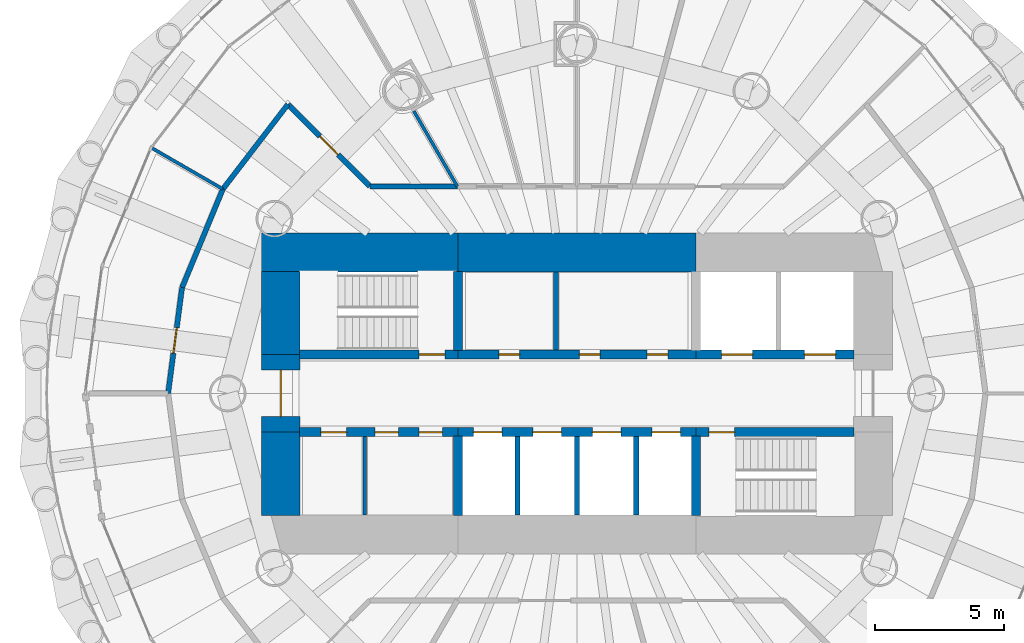
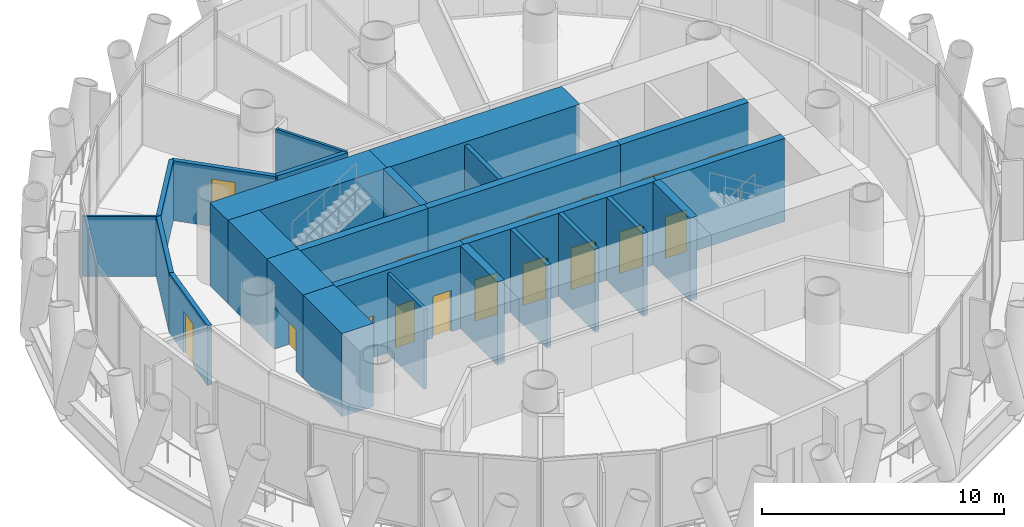
# One storey, part 10 of 16: 26 walls, 17 doors, 17 openings.
"""IFC4 building model written with IfcOpenShell, lengths in metres."""

from ifc_helpers import new_model, si_unit, direction, frame, frame_2d, origin, place, context, subcontext, project, spatial, rectangle, extrude, material, layer, layer_set, type_object, element, fill, save


model = new_model("IFC4")

# Units and contexts
model_context = context("Model", 3, precision=1e-05, world=origin(), true_north=direction((0.0, 1.0)))
body_context = subcontext(model_context, "Body", "Model", "MODEL_VIEW")
ifc_project = project(units=[si_unit("LENGTHUNIT", "METRE"), si_unit("AREAUNIT", "SQUARE_METRE"), si_unit("VOLUMEUNIT", "CUBIC_METRE"), si_unit("PLANEANGLEUNIT", "RADIAN"), si_unit("MASSUNIT", "GRAM", prefix="KILO")], contexts=[model_context])

# Site, building, storey
site_placement = place(None, origin())
site = spatial("IfcSite", under=ifc_project, at=site_placement, CompositionType="ELEMENT")
building_placement = place(site_placement, origin())
building = spatial("IfcBuilding", under=site, at=building_placement, Name="Qaws Media Tower", CompositionType="ELEMENT")
storey_placement = place(building_placement, frame((0.0, 0.0, 269.60009765625)))
storey = spatial("IfcBuildingStorey", under=building, at=storey_placement, Name="L62", CompositionType="ELEMENT", Elevation=269.60009765625)

# Wall, opening, door
ifc_material_1 = material(Name="Concrete C60/75", Category="concrete")
ifc_layer_1 = layer(ifc_material_1, 0.35009765625)
ifc_layer_set_1 = layer_set([ifc_layer_1], Name="Core inner wall 350")
wall_type_1 = type_object("IfcWallType", Name="Core inner wall 350", PredefinedType="SHEAR", material=ifc_layer_set_1)
wall_1_placement = place(storey_placement, frame((49.280029296875, 51.5, 0.0), z_axis=(0.0, 0.0, 1.0), x_axis=(1.0, 0.0, 0.0)))
wall_1 = element("IfcWall", 1, at=wall_1_placement, inside=storey, type_object=wall_type_1, Name="W301 SW5 core wall SPNW L62", PredefinedType="SHEAR", context=body_context, shape_type="SweptSolid", body=[
    extrude(rectangle(XDim=6.119873046875, YDim=0.35009765625, at=frame_2d((3.06005859375, 0.0))), origin(), (0.0, 0.0, 1.0), 4.199951171875),
])
opening_1_placement = place(wall_1_placement, frame((4.6201171875, 0.0, 0.0)))
opening_1 = element("IfcOpeningElement", 2, at=opening_1_placement, cuts=wall_1, Name="Opening D1", PredefinedType="OPENING", context=body_context, shape_type="SweptSolid", body=[
    extrude(rectangle(XDim=1.0, YDim=2.10009765625, at=frame_2d((0.5, 1.050048828125))), frame((0.0, 0.18505859375, 0.0), z_axis=(0.0, -1.0, 0.0), x_axis=(1.0, 0.0, 0.0)), (0.0, 0.0, 1.0), 0.3701171875),
])
ifc_material_2 = material(Name="Steel, fire rated", Category="steel")
door_type_1 = type_object("IfcDoorType", Name="Stair door 1000 FD120", OperationType="SINGLE_SWING_LEFT", PredefinedType="DOOR", material=ifc_material_2)
door_1_placement = place(opening_1_placement, origin())
door_1 = element("IfcDoor", 3, at=door_1_placement, inside=storey, type_object=door_type_1, Name="D1 stair S1 door L62 in wall W301", OperationType="SINGLE_SWING_LEFT", OverallHeight=2.10009765625, OverallWidth=1.0, PredefinedType="DOOR", context=body_context, shape_type="SweptSolid", body=[
    extrude(rectangle(XDim=1.0, YDim=2.10009765625, at=frame_2d((0.5, 1.050048828125))), frame((0.0, 0.02490234375, 0.0), z_axis=(0.0, -1.0, 0.0), x_axis=(1.0, 0.0, 0.0)), (0.0, 0.0, 1.0), 0.050048828125),
])
fill(opening_1, door_1)

# Wall, openings, doors
wall_2_placement = place(storey_placement, frame((55.39990234375, 51.5, 0.0), z_axis=(0.0, 0.0, 1.0), x_axis=(1.0, 0.0, 0.0)))
wall_2 = element("IfcWall", 4, at=wall_2_placement, inside=storey, type_object=wall_type_1, Name="W304 SW5 core wall SPN L62", PredefinedType="SHEAR", context=body_context, shape_type="SweptSolid", body=[
    extrude(rectangle(XDim=9.2001953125, YDim=0.35009765625, at=frame_2d((4.60009765625, 0.0))), origin(), (0.0, 0.0, 1.0), 4.199951171875),
])
opening_2_placement = place(wall_2_placement, frame((1.585205078125, 0.0, 0.0)))
opening_2 = element("IfcOpeningElement", 5, at=opening_2_placement, cuts=wall_2, Name="Opening D23", PredefinedType="OPENING", context=body_context, shape_type="SweptSolid", body=[
    extrude(rectangle(XDim=0.800048828125, YDim=2.10009765625, at=frame_2d((0.39990234375, 1.050048828125))), frame((0.0, 0.18505859375, 0.0), z_axis=(0.0, -1.0, 0.0), x_axis=(1.0, 0.0, 0.0)), (0.0, 0.0, 1.0), 0.3701171875),
])
opening_3_placement = place(wall_2_placement, frame((4.702880859375, 0.0, 0.0)))
opening_3 = element("IfcOpeningElement", 6, at=opening_3_placement, cuts=wall_2, Name="Opening D23", PredefinedType="OPENING", context=body_context, shape_type="SweptSolid", body=[
    extrude(rectangle(XDim=0.800048828125, YDim=2.10009765625, at=frame_2d((0.39990234375, 1.050048828125))), frame((0.0, 0.18505859375, 0.0), z_axis=(0.0, -1.0, 0.0), x_axis=(1.0, 0.0, 0.0)), (0.0, 0.0, 1.0), 0.3701171875),
])
opening_4_placement = place(wall_2_placement, frame((7.317626953125, 0.0, 0.0)))
opening_4 = element("IfcOpeningElement", 7, at=opening_4_placement, cuts=wall_2, Name="Opening D23", PredefinedType="OPENING", context=body_context, shape_type="SweptSolid", body=[
    extrude(rectangle(XDim=0.800048828125, YDim=2.10009765625, at=frame_2d((0.39990234375, 1.050048828125))), frame((0.0, 0.18505859375, 0.0), z_axis=(0.0, -1.0, 0.0), x_axis=(1.0, 0.0, 0.0)), (0.0, 0.0, 1.0), 0.3701171875),
])
ifc_material_3 = material(Name="Steel, fire rated", Category="steel")
door_type_2 = type_object("IfcDoorType", Name="Core room door 800x2100", OperationType="SINGLE_SWING_LEFT", PredefinedType="DOOR", material=ifc_material_3)
door_2_placement = place(opening_2_placement, origin())
door_2 = element("IfcDoor", 8, at=door_2_placement, inside=storey, type_object=door_type_2, Name="D23 Ladies toilets door L62 in wall W304", OperationType="SINGLE_SWING_LEFT", OverallHeight=2.10009765625, OverallWidth=0.800048828125, PredefinedType="DOOR", context=body_context, shape_type="SweptSolid", body=[
    extrude(rectangle(XDim=0.800048828125, YDim=2.10009765625, at=frame_2d((0.39990234375, 1.050048828125))), frame((0.0, 0.02490234375, 0.0), z_axis=(0.0, -1.0, 0.0), x_axis=(1.0, 0.0, 0.0)), (0.0, 0.0, 1.0), 0.050048828125),
])
fill(opening_2, door_2)
door_3_placement = place(opening_3_placement, origin())
door_3 = element("IfcDoor", 9, at=door_3_placement, inside=storey, type_object=door_type_2, Name="D23 Gents toilets door L62 2 in wall W304", OperationType="SINGLE_SWING_LEFT", OverallHeight=2.10009765625, OverallWidth=0.800048828125, PredefinedType="DOOR", context=body_context, shape_type="SweptSolid", body=[
    extrude(rectangle(XDim=0.800048828125, YDim=2.10009765625, at=frame_2d((0.39990234375, 1.050048828125))), frame((0.0, 0.02490234375, 0.0), z_axis=(0.0, -1.0, 0.0), x_axis=(1.0, 0.0, 0.0)), (0.0, 0.0, 1.0), 0.050048828125),
])
fill(opening_3, door_3)
door_4_placement = place(opening_4_placement, origin())
door_4 = element("IfcDoor", 10, at=door_4_placement, inside=storey, type_object=door_type_2, Name="D23 Gents toilets door L62 3 in wall W304", OperationType="SINGLE_SWING_LEFT", OverallHeight=2.10009765625, OverallWidth=0.800048828125, PredefinedType="DOOR", context=body_context, shape_type="SweptSolid", body=[
    extrude(rectangle(XDim=0.800048828125, YDim=2.10009765625, at=frame_2d((0.39990234375, 1.050048828125))), frame((0.0, 0.02490234375, 0.0), z_axis=(0.0, -1.0, 0.0), x_axis=(1.0, 0.0, 0.0)), (0.0, 0.0, 1.0), 0.050048828125),
])
fill(opening_4, door_4)

wall_3_placement = place(storey_placement, frame((64.60009765625, 51.5, 0.0), z_axis=(0.0, 0.0, 1.0), x_axis=(1.0, 0.0, 0.0)))
wall_3 = element("IfcWall", 11, at=wall_3_placement, inside=storey, type_object=wall_type_1, Name="W308 SW5 core wall SPNE L62", PredefinedType="SHEAR", context=body_context, shape_type="SweptSolid", body=[
    extrude(rectangle(XDim=6.119873046875, YDim=0.35009765625, at=frame_2d((3.06005859375, 0.0))), origin(), (0.0, 0.0, 1.0), 4.199951171875),
])
opening_5_placement = place(wall_3_placement, frame((1.0, 0.0, 0.0)))
opening_5 = element("IfcOpeningElement", 12, at=opening_5_placement, cuts=wall_3, Name="Opening LD2", PredefinedType="OPENING", context=body_context, shape_type="SweptSolid", body=[
    extrude(rectangle(XDim=1.199951171875, YDim=2.10009765625, at=frame_2d((0.60009765625, 1.050048828125))), frame((0.0, 0.18505859375, 0.0), z_axis=(0.0, -1.0, 0.0), x_axis=(1.0, 0.0, 0.0)), (0.0, 0.0, 1.0), 0.3701171875),
])
opening_6_placement = place(wall_3_placement, frame((4.199951171875, 0.0, 0.0)))
opening_6 = element("IfcOpeningElement", 13, at=opening_6_placement, cuts=wall_3, Name="Opening LD2", PredefinedType="OPENING", context=body_context, shape_type="SweptSolid", body=[
    extrude(rectangle(XDim=1.199951171875, YDim=2.10009765625, at=frame_2d((0.60009765625, 1.050048828125))), frame((0.0, 0.18505859375, 0.0), z_axis=(0.0, -1.0, 0.0), x_axis=(1.0, 0.0, 0.0)), (0.0, 0.0, 1.0), 0.3701171875),
])
ifc_material_4 = material(Name="Steel, fire rated", Category="steel")
door_type_3 = type_object("IfcDoorType", Name="Lift landing door 1200", OperationType="SLIDING_TO_LEFT", PredefinedType="DOOR", material=ifc_material_4)
door_5_placement = place(opening_5_placement, origin())
door_5 = element("IfcDoor", 14, at=door_5_placement, inside=storey, type_object=door_type_3, Name="FL1 landing door L62 in wall W308", OperationType="SLIDING_TO_LEFT", OverallHeight=2.10009765625, OverallWidth=1.199951171875, PredefinedType="DOOR", context=body_context, shape_type="SweptSolid", body=[
    extrude(rectangle(XDim=1.199951171875, YDim=2.10009765625, at=frame_2d((0.60009765625, 1.050048828125))), frame((0.0, 0.02490234375, 0.0), z_axis=(0.0, -1.0, 0.0), x_axis=(1.0, 0.0, 0.0)), (0.0, 0.0, 1.0), 0.050048828125),
])
fill(opening_5, door_5)
door_6_placement = place(opening_6_placement, origin())
door_6 = element("IfcDoor", 15, at=door_6_placement, inside=storey, type_object=door_type_3, Name="FL2 landing door L62 in wall W308", OperationType="SLIDING_TO_LEFT", OverallHeight=2.10009765625, OverallWidth=1.199951171875, PredefinedType="DOOR", context=body_context, shape_type="SweptSolid", body=[
    extrude(rectangle(XDim=1.199951171875, YDim=2.10009765625, at=frame_2d((0.60009765625, 1.050048828125))), frame((0.0, 0.02490234375, 0.0), z_axis=(0.0, -1.0, 0.0), x_axis=(1.0, 0.0, 0.0)), (0.0, 0.0, 1.0), 0.050048828125),
])
fill(opening_6, door_6)

wall_4_placement = place(storey_placement, frame((49.280029296875, 48.5, 0.0), z_axis=(0.0, 0.0, 1.0), x_axis=(1.0, 0.0, 0.0)))
wall_4 = element("IfcWall", 16, at=wall_4_placement, inside=storey, type_object=wall_type_1, Name="W300 SW5 core wall SPSW L62", PredefinedType="SHEAR", context=body_context, shape_type="SweptSolid", body=[
    extrude(rectangle(XDim=6.119873046875, YDim=0.35009765625, at=frame_2d((3.06005859375, 0.0))), origin(), (0.0, 0.0, 1.0), 4.199951171875),
])
opening_7_placement = place(wall_4_placement, frame((0.820068359375, 0.0, 0.0)))
opening_7 = element("IfcOpeningElement", 17, at=opening_7_placement, cuts=wall_4, Name="Opening D4", PredefinedType="OPENING", context=body_context, shape_type="SweptSolid", body=[
    extrude(rectangle(XDim=1.0, YDim=2.10009765625, at=frame_2d((0.5, 1.050048828125))), frame((0.0, 0.18505859375, 0.0), z_axis=(0.0, -1.0, 0.0), x_axis=(1.0, 0.0, 0.0)), (0.0, 0.0, 1.0), 0.3701171875),
])
opening_8_placement = place(wall_4_placement, frame((2.919921875, 0.0, 0.0)))
opening_8 = element("IfcOpeningElement", 18, at=opening_8_placement, cuts=wall_4, Name="Opening D25", PredefinedType="OPENING", context=body_context, shape_type="SweptSolid", body=[
    extrude(rectangle(XDim=0.89990234375, YDim=2.10009765625, at=frame_2d((0.449951171875, 1.050048828125))), frame((0.0, 0.18505859375, 0.0), z_axis=(0.0, -1.0, 0.0), x_axis=(1.0, 0.0, 0.0)), (0.0, 0.0, 1.0), 0.3701171875),
])
opening_9_placement = place(wall_4_placement, frame((4.6201171875, 0.0, 0.0)))
opening_9 = element("IfcOpeningElement", 19, at=opening_9_placement, cuts=wall_4, Name="Opening D25", PredefinedType="OPENING", context=body_context, shape_type="SweptSolid", body=[
    extrude(rectangle(XDim=0.89990234375, YDim=2.10009765625, at=frame_2d((0.449951171875, 1.050048828125))), frame((0.0, 0.18505859375, 0.0), z_axis=(0.0, -1.0, 0.0), x_axis=(1.0, 0.0, 0.0)), (0.0, 0.0, 1.0), 0.3701171875),
])
ifc_material_5 = material(Name="Timber veneered", Category="wood")
door_type_4 = type_object("IfcDoorType", Name="Accessible WC door 1000", OperationType="SLIDING_TO_LEFT", PredefinedType="DOOR", material=ifc_material_5)
door_7_placement = place(opening_7_placement, origin())
door_7 = element("IfcDoor", 20, at=door_7_placement, inside=storey, type_object=door_type_4, Name="D4 toilet door 1 L62 in wall W300", OperationType="SLIDING_TO_LEFT", OverallHeight=2.10009765625, OverallWidth=1.0, PredefinedType="DOOR", context=body_context, shape_type="SweptSolid", body=[
    extrude(rectangle(XDim=1.0, YDim=2.10009765625, at=frame_2d((0.5, 1.050048828125))), frame((0.0, 0.02490234375, 0.0), z_axis=(0.0, -1.0, 0.0), x_axis=(1.0, 0.0, 0.0)), (0.0, 0.0, 1.0), 0.050048828125),
])
fill(opening_7, door_7)
ifc_material_6 = material(Name="Steel, fire rated", Category="steel")
door_type_5 = type_object("IfcDoorType", Name="Core service door 900", OperationType="SINGLE_SWING_RIGHT", PredefinedType="DOOR", material=ifc_material_6)
door_8_placement = place(opening_8_placement, origin())
door_8 = element("IfcDoor", 21, at=door_8_placement, inside=storey, type_object=door_type_5, Name="D25 toilet door 2 L62 in wall W300", OperationType="SINGLE_SWING_RIGHT", OverallHeight=2.10009765625, OverallWidth=0.89990234375, PredefinedType="DOOR", context=body_context, shape_type="SweptSolid", body=[
    extrude(rectangle(XDim=0.89990234375, YDim=2.10009765625, at=frame_2d((0.449951171875, 1.050048828125))), frame((0.0, 0.02490234375, 0.0), z_axis=(0.0, -1.0, 0.0), x_axis=(1.0, 0.0, 0.0)), (0.0, 0.0, 1.0), 0.050048828125),
])
fill(opening_8, door_8)
door_9_placement = place(opening_9_placement, origin())
door_9 = element("IfcDoor", 22, at=door_9_placement, inside=storey, type_object=door_type_5, Name="D25 toilet door 3 L62 in wall W300", OperationType="SINGLE_SWING_RIGHT", OverallHeight=2.10009765625, OverallWidth=0.89990234375, PredefinedType="DOOR", context=body_context, shape_type="SweptSolid", body=[
    extrude(rectangle(XDim=0.89990234375, YDim=2.10009765625, at=frame_2d((0.449951171875, 1.050048828125))), frame((0.0, 0.02490234375, 0.0), z_axis=(0.0, -1.0, 0.0), x_axis=(1.0, 0.0, 0.0)), (0.0, 0.0, 1.0), 0.050048828125),
])
fill(opening_9, door_9)

wall_5_placement = place(storey_placement, frame((55.39990234375, 48.5, 0.0), z_axis=(0.0, 0.0, 1.0), x_axis=(1.0, 0.0, 0.0)))
wall_5 = element("IfcWall", 23, at=wall_5_placement, inside=storey, type_object=wall_type_1, Name="W303 SW5 core wall SPS L62", PredefinedType="SHEAR", context=body_context, shape_type="SweptSolid", body=[
    extrude(rectangle(XDim=9.2001953125, YDim=0.35009765625, at=frame_2d((4.60009765625, 0.0))), origin(), (0.0, 0.0, 1.0), 4.199951171875),
])
opening_10_placement = place(wall_5_placement, frame((0.60009765625, 0.0, 0.0)))
opening_10 = element("IfcOpeningElement", 24, at=opening_10_placement, cuts=wall_5, Name="Opening LD", PredefinedType="OPENING", context=body_context, shape_type="SweptSolid", body=[
    extrude(rectangle(XDim=1.10009765625, YDim=2.10009765625, at=frame_2d((0.550048828125, 1.050048828125))), frame((0.0, 0.18505859375, 0.0), z_axis=(0.0, -1.0, 0.0), x_axis=(1.0, 0.0, 0.0)), (0.0, 0.0, 1.0), 0.3701171875),
])
opening_11_placement = place(wall_5_placement, frame((2.89990234375, 0.0, 0.0)))
opening_11 = element("IfcOpeningElement", 25, at=opening_11_placement, cuts=wall_5, Name="Opening LD", PredefinedType="OPENING", context=body_context, shape_type="SweptSolid", body=[
    extrude(rectangle(XDim=1.10009765625, YDim=2.10009765625, at=frame_2d((0.550048828125, 1.050048828125))), frame((0.0, 0.18505859375, 0.0), z_axis=(0.0, -1.0, 0.0), x_axis=(1.0, 0.0, 0.0)), (0.0, 0.0, 1.0), 0.3701171875),
])
opening_12_placement = place(wall_5_placement, frame((5.199951171875, 0.0, 0.0)))
opening_12 = element("IfcOpeningElement", 26, at=opening_12_placement, cuts=wall_5, Name="Opening LD", PredefinedType="OPENING", context=body_context, shape_type="SweptSolid", body=[
    extrude(rectangle(XDim=1.10009765625, YDim=2.10009765625, at=frame_2d((0.550048828125, 1.050048828125))), frame((0.0, 0.18505859375, 0.0), z_axis=(0.0, -1.0, 0.0), x_axis=(1.0, 0.0, 0.0)), (0.0, 0.0, 1.0), 0.3701171875),
])
opening_13_placement = place(wall_5_placement, frame((7.5, 0.0, 0.0)))
opening_13 = element("IfcOpeningElement", 27, at=opening_13_placement, cuts=wall_5, Name="Opening LD", PredefinedType="OPENING", context=body_context, shape_type="SweptSolid", body=[
    extrude(rectangle(XDim=1.10009765625, YDim=2.10009765625, at=frame_2d((0.550048828125, 1.050048828125))), frame((0.0, 0.18505859375, 0.0), z_axis=(0.0, -1.0, 0.0), x_axis=(1.0, 0.0, 0.0)), (0.0, 0.0, 1.0), 0.3701171875),
])
ifc_material_7 = material(Name="Steel, fire rated", Category="steel")
door_type_6 = type_object("IfcDoorType", Name="Lift landing door 1100", OperationType="SLIDING_TO_LEFT", PredefinedType="DOOR", material=ifc_material_7)
door_10_placement = place(opening_10_placement, origin())
door_10 = element("IfcDoor", 28, at=door_10_placement, inside=storey, type_object=door_type_6, Name="P5 landing door L62 in wall W303", OperationType="SLIDING_TO_LEFT", OverallHeight=2.10009765625, OverallWidth=1.10009765625, PredefinedType="DOOR", context=body_context, shape_type="SweptSolid", body=[
    extrude(rectangle(XDim=1.10009765625, YDim=2.10009765625, at=frame_2d((0.550048828125, 1.050048828125))), frame((0.0, 0.02490234375, 0.0), z_axis=(0.0, -1.0, 0.0), x_axis=(1.0, 0.0, 0.0)), (0.0, 0.0, 1.0), 0.050048828125),
])
fill(opening_10, door_10)
door_11_placement = place(opening_11_placement, origin())
door_11 = element("IfcDoor", 29, at=door_11_placement, inside=storey, type_object=door_type_6, Name="P6 landing door L62 in wall W303", OperationType="SLIDING_TO_LEFT", OverallHeight=2.10009765625, OverallWidth=1.10009765625, PredefinedType="DOOR", context=body_context, shape_type="SweptSolid", body=[
    extrude(rectangle(XDim=1.10009765625, YDim=2.10009765625, at=frame_2d((0.550048828125, 1.050048828125))), frame((0.0, 0.02490234375, 0.0), z_axis=(0.0, -1.0, 0.0), x_axis=(1.0, 0.0, 0.0)), (0.0, 0.0, 1.0), 0.050048828125),
])
fill(opening_11, door_11)
door_12_placement = place(opening_12_placement, origin())
door_12 = element("IfcDoor", 30, at=door_12_placement, inside=storey, type_object=door_type_6, Name="P7 landing door L62 in wall W303", OperationType="SLIDING_TO_LEFT", OverallHeight=2.10009765625, OverallWidth=1.10009765625, PredefinedType="DOOR", context=body_context, shape_type="SweptSolid", body=[
    extrude(rectangle(XDim=1.10009765625, YDim=2.10009765625, at=frame_2d((0.550048828125, 1.050048828125))), frame((0.0, 0.02490234375, 0.0), z_axis=(0.0, -1.0, 0.0), x_axis=(1.0, 0.0, 0.0)), (0.0, 0.0, 1.0), 0.050048828125),
])
fill(opening_12, door_12)
door_13_placement = place(opening_13_placement, origin())
door_13 = element("IfcDoor", 31, at=door_13_placement, inside=storey, type_object=door_type_6, Name="P8 landing door L62 in wall W303", OperationType="SLIDING_TO_LEFT", OverallHeight=2.10009765625, OverallWidth=1.10009765625, PredefinedType="DOOR", context=body_context, shape_type="SweptSolid", body=[
    extrude(rectangle(XDim=1.10009765625, YDim=2.10009765625, at=frame_2d((0.550048828125, 1.050048828125))), frame((0.0, 0.02490234375, 0.0), z_axis=(0.0, -1.0, 0.0), x_axis=(1.0, 0.0, 0.0)), (0.0, 0.0, 1.0), 0.050048828125),
])
fill(opening_13, door_13)

# Wall, opening, door
wall_6_placement = place(storey_placement, frame((64.60009765625, 48.5, 0.0), z_axis=(0.0, 0.0, 1.0), x_axis=(1.0, 0.0, 0.0)))
wall_6 = element("IfcWall", 32, at=wall_6_placement, inside=storey, type_object=wall_type_1, Name="W307 SW5 core wall SPSE L62", PredefinedType="SHEAR", context=body_context, shape_type="SweptSolid", body=[
    extrude(rectangle(XDim=6.119873046875, YDim=0.35009765625, at=frame_2d((3.06005859375, 0.0))), origin(), (0.0, 0.0, 1.0), 4.199951171875),
])
opening_14_placement = place(wall_6_placement, frame((0.5, 0.0, 0.0)))
opening_14 = element("IfcOpeningElement", 33, at=opening_14_placement, cuts=wall_6, Name="Opening D1", PredefinedType="OPENING", context=body_context, shape_type="SweptSolid", body=[
    extrude(rectangle(XDim=1.0, YDim=2.10009765625, at=frame_2d((0.5, 1.050048828125))), frame((0.0, 0.18505859375, 0.0), z_axis=(0.0, -1.0, 0.0), x_axis=(1.0, 0.0, 0.0)), (0.0, 0.0, 1.0), 0.3701171875),
])
door_14_placement = place(opening_14_placement, origin())
door_14 = element("IfcDoor", 34, at=door_14_placement, inside=storey, type_object=door_type_1, Name="D1 stair S2 door L62 in wall W307", OperationType="SINGLE_SWING_LEFT", OverallHeight=2.10009765625, OverallWidth=1.0, PredefinedType="DOOR", context=body_context, shape_type="SweptSolid", body=[
    extrude(rectangle(XDim=1.0, YDim=2.10009765625, at=frame_2d((0.5, 1.050048828125))), frame((0.0, 0.02490234375, 0.0), z_axis=(0.0, -1.0, 0.0), x_axis=(1.0, 0.0, 0.0)), (0.0, 0.0, 1.0), 0.050048828125),
])
fill(opening_14, door_14)

# Walls
for number, where, z_axis, x_axis, name in (
    (35, (55.39990234375, 51.655029296875, 0.0), (0.0, 0.0, 1.0), (0.0, 1.0, 0.0), "W305 SW5 core wall XNW L62"),
    (36, (55.39990234375, 48.344970703125, 0.0), (0.0, 0.0, 1.0), (0.0, -1.0, 0.0), "W302 SW5 core wall XSW L62"),
    (37, (64.60009765625, 48.344970703125, 0.0), (0.0, 0.0, 1.0), (0.0, -1.0, 0.0), "W306 SW5 core wall XSE L62"),
):
    element("IfcWall", number, at=place(storey_placement, frame(where, z_axis=z_axis, x_axis=x_axis)), inside=storey, type_object=wall_type_1, Name=name, PredefinedType="SHEAR", context=body_context, shape_type="SweptSolid", body=[
        extrude(rectangle(XDim=3.06494140625, YDim=0.35009765625, at=frame_2d((1.532470703125, 0.0))), origin(), (0.0, 0.0, 1.0), 4.199951171875),
    ])
ifc_material_8 = material(Name="Concrete C60/75", Category="concrete")
ifc_layer_2 = layer(ifc_material_8, 1.5)
ifc_layer_set_2 = layer_set([ifc_layer_2], Name="Core wall 1500")
wall_type_2 = type_object("IfcWallType", Name="Core wall 1500", PredefinedType="SHEAR", material=ifc_layer_set_2)
wall_7_placement = place(storey_placement, frame((47.800048828125, 55.449951171875, 0.0), z_axis=(0.0, 0.0, 1.0), x_axis=(1.0, 0.0, 0.0)))
element("IfcWall", 38, at=wall_7_placement, inside=storey, type_object=wall_type_2, Name="W377 SW13 core wall NW L62", PredefinedType="SHEAR", context=body_context, shape_type="SweptSolid", body=[
    extrude(rectangle(XDim=7.599853515625, YDim=1.5, at=frame_2d((3.7998046875, 0.0))), origin(), (0.0, 0.0, 1.0), 4.199951171875),
])
wall_8_placement = place(storey_placement, frame((55.39990234375, 55.449951171875, 0.0), z_axis=(0.0, 0.0, 1.0), x_axis=(1.0, 0.0, 0.0)))
element("IfcWall", 39, at=wall_8_placement, inside=storey, type_object=wall_type_2, Name="W373 SW13 core wall N L62", PredefinedType="SHEAR", context=body_context, shape_type="SweptSolid", body=[
    extrude(rectangle(XDim=9.2001953125, YDim=1.5, at=frame_2d((4.60009765625, 0.0))), origin(), (0.0, 0.0, 1.0), 4.199951171875),
])
wall_9_placement = place(storey_placement, frame((48.550048828125, 45.280029296875, 0.0), z_axis=(0.0, 0.0, 1.0), x_axis=(0.0, 1.0, 0.0)))
element("IfcWall", 40, at=wall_9_placement, inside=storey, type_object=wall_type_2, Name="W378 SW13 core wall WS L62", PredefinedType="SHEAR", context=body_context, shape_type="SweptSolid", body=[
    extrude(rectangle(XDim=3.219970703125, YDim=1.5, at=frame_2d((1.60986328125, 0.0))), origin(), (0.0, 0.0, 1.0), 4.199951171875),
])

# Wall, opening, door
wall_10_placement = place(storey_placement, frame((48.550048828125, 48.5, 0.0), z_axis=(0.0, 0.0, 1.0), x_axis=(0.0, 1.0, 0.0)))
wall_10 = element("IfcWall", 41, at=wall_10_placement, inside=storey, type_object=wall_type_2, Name="W379 SW13 core wall W L62", PredefinedType="SHEAR", context=body_context, shape_type="SweptSolid", body=[
    extrude(rectangle(XDim=3.0, YDim=1.5, at=frame_2d((1.5, 0.0))), origin(), (0.0, 0.0, 1.0), 4.199951171875),
])
opening_15_placement = place(wall_10_placement, frame((0.60009765625, 0.0, 0.0)))
opening_15 = element("IfcOpeningElement", 42, at=opening_15_placement, cuts=wall_10, Name="Opening D2", PredefinedType="OPENING", context=body_context, shape_type="SweptSolid", body=[
    extrude(rectangle(XDim=1.800048828125, YDim=2.10009765625, at=frame_2d((0.89990234375, 1.050048828125))), frame((0.0, 0.760009765625, 0.0), z_axis=(0.0, -1.0, 0.0), x_axis=(1.0, 0.0, 0.0)), (0.0, 0.0, 1.0), 1.52001953125),
])
ifc_material_9 = material(Name="Steel and glass, fire rated", Category="steel")
door_type_7 = type_object("IfcDoorType", Name="Lobby door pair 1800 FD60", OperationType="DOUBLE_DOOR_DOUBLE_SWING", PredefinedType="DOOR", material=ifc_material_9)
door_15_placement = place(opening_15_placement, origin())
door_15 = element("IfcDoor", 43, at=door_15_placement, inside=storey, type_object=door_type_7, Name="D2 core lobby door W L62 in wall W379", OperationType="DOUBLE_DOOR_DOUBLE_SWING", OverallHeight=2.10009765625, OverallWidth=1.800048828125, PredefinedType="DOOR", context=body_context, shape_type="SweptSolid", body=[
    extrude(rectangle(XDim=1.800048828125, YDim=2.10009765625, at=frame_2d((0.89990234375, 1.050048828125))), frame((0.0, 0.02490234375, 0.0), z_axis=(0.0, -1.0, 0.0), x_axis=(1.0, 0.0, 0.0)), (0.0, 0.0, 1.0), 0.050048828125),
])
fill(opening_15, door_15)

# Walls
wall_11_placement = place(storey_placement, frame((48.550048828125, 51.5, 0.0), z_axis=(0.0, 0.0, 1.0), x_axis=(0.0, 1.0, 0.0)))
element("IfcWall", 44, at=wall_11_placement, inside=storey, type_object=wall_type_2, Name="W380 SW13 core wall WN L62", PredefinedType="SHEAR", context=body_context, shape_type="SweptSolid", body=[
    extrude(rectangle(XDim=3.219970703125, YDim=1.5, at=frame_2d((1.60986328125, 0.0))), origin(), (0.0, 0.0, 1.0), 4.199951171875),
])
ifc_material_10 = material(Name="Two layers gypsum board each side on 75 studs, insulated", Category="gypsum")
ifc_layer_3 = layer(ifc_material_10, 0.125)
ifc_layer_set_3 = layer_set([ifc_layer_3], Name="Meeting room partition 125 Rw 48")
wall_type_3 = type_object("IfcWallType", Name="Meeting room partition 125 Rw 48", PredefinedType="PARTITIONING", material=ifc_layer_set_3)
wall_12_placement = place(storey_placement, frame((55.3798828125, 58.002197265625, 0.0), z_axis=(0.0, 0.0, 1.0), x_axis=(-0.500003080363, 0.866023625329, 0.0)))
element("IfcWall", 45, at=wall_12_placement, inside=storey, type_object=wall_type_3, Name="W628 IW5 partition L62", PredefinedType="PARTITIONING", context=body_context, shape_type="SweptSolid", body=[
    extrude(rectangle(XDim=3.36376953125, YDim=0.125, at=frame_2d((1.681884765625, 0.0))), origin(), (0.0, 0.0, 1.0), 3.039794921875),
])
wall_13_placement = place(storey_placement, frame((46.31689453125, 57.89990234375, 0.0), z_axis=(0.0, 0.0, 1.0), x_axis=(-0.866028632512, 0.499994407638, 0.0)))
element("IfcWall", 46, at=wall_13_placement, inside=storey, type_object=wall_type_3, Name="W623 IW5 partition L62", PredefinedType="PARTITIONING", context=body_context, shape_type="SweptSolid", body=[
    extrude(rectangle(XDim=3.16015625, YDim=0.125, at=frame_2d((1.580078125, 0.0))), origin(), (0.0, 0.0, 1.0), 3.02001953125),
])

# Wall, opening, door
ifc_material_11 = material(Name="Gypsum board on galvanised metal studs, acoustic double stud, deflection head", Category="gypsum")
ifc_layer_4 = layer(ifc_material_11, 0.199951171875)
ifc_layer_set_4 = layer_set([ifc_layer_4], Name="Room partition 200")
wall_type_4 = type_object("IfcWallType", Name="Room partition 200", PredefinedType="PARTITIONING", material=ifc_layer_set_4)
wall_14_placement = place(storey_placement, frame((44.199951171875, 50.0, 0.0), z_axis=(0.0, 0.0, 1.0), x_axis=(0.130515758099, 0.991446234996, 0.0)))
wall_14 = element("IfcWall", 47, at=wall_14_placement, inside=storey, type_object=wall_type_4, Name="W1708 IW3 partition L62", PredefinedType="PARTITIONING", context=body_context, shape_type="SweptSolid", body=[
    extrude(rectangle(XDim=4.124755859375, YDim=0.199951171875, at=frame_2d((2.0625, 0.0))), origin(), (0.0, 0.0, 1.0), 3.02001953125),
])
opening_16_placement = place(wall_14_placement, frame((1.562255859375, 0.0, 0.0)))
opening_16 = element("IfcOpeningElement", 48, at=opening_16_placement, cuts=wall_14, Name="Opening D5", PredefinedType="OPENING", context=body_context, shape_type="SweptSolid", body=[
    extrude(rectangle(XDim=1.0, YDim=2.10009765625, at=frame_2d((0.5, 1.050048828125))), frame((0.0, 0.10986328125, 0.0), z_axis=(0.0, -1.0, 0.0), x_axis=(1.0, 0.0, 0.0)), (0.0, 0.0, 1.0), 0.219970703125),
])
ifc_material_12 = material(Name="Timber veneered, acoustic seal", Category="wood")
door_type_8 = type_object("IfcDoorType", Name="Room door 1000", OperationType="SINGLE_SWING_LEFT", PredefinedType="DOOR", material=ifc_material_12)
door_16_placement = place(opening_16_placement, origin())
door_16 = element("IfcDoor", 49, at=door_16_placement, inside=storey, type_object=door_type_8, Name="D5 Board meeting room door L62 in wall W1708", OperationType="SINGLE_SWING_LEFT", OverallHeight=2.10009765625, OverallWidth=1.0, PredefinedType="DOOR", context=body_context, shape_type="SweptSolid", body=[
    extrude(rectangle(XDim=1.0, YDim=2.10009765625, at=frame_2d((0.5, 1.050048828125))), frame((0.0, 0.02490234375, 0.0), z_axis=(0.0, -1.0, 0.0), x_axis=(1.0, 0.0, 0.0)), (0.0, 0.0, 1.0), 0.050048828125),
])
fill(opening_16, door_16)

# Walls
wall_15_placement = place(storey_placement, frame((44.73828125, 54.08935546875, 0.0), z_axis=(0.0, 0.0, 1.0), x_axis=(0.382731667114, 0.923859551549, 0.0)))
element("IfcWall", 50, at=wall_15_placement, inside=storey, type_object=wall_type_4, Name="W1710 IW3 partition L62", PredefinedType="PARTITIONING", context=body_context, shape_type="SweptSolid", body=[
    extrude(rectangle(XDim=4.12451171875, YDim=0.199951171875, at=frame_2d((2.062255859375, 0.0))), origin(), (0.0, 0.0, 1.0), 3.02001953125),
])
wall_16_placement = place(storey_placement, frame((46.31689453125, 57.89990234375, 0.0), z_axis=(0.0, 0.0, 1.0), x_axis=(0.608714823874, 0.793389099494, 0.0)))
element("IfcWall", 51, at=wall_16_placement, inside=storey, type_object=wall_type_4, Name="W1755 IW3 partition L62", PredefinedType="PARTITIONING", context=body_context, shape_type="SweptSolid", body=[
    extrude(rectangle(XDim=4.124755859375, YDim=0.199951171875, at=frame_2d((2.0625, 0.0))), origin(), (0.0, 0.0, 1.0), 3.02001953125),
])

# Wall, opening, door
wall_17_placement = place(storey_placement, frame((48.82763671875, 61.17236328125, 0.0), z_axis=(0.0, 0.0, 1.0), x_axis=(0.707106781187, -0.707106781187, 0.0)))
wall_17 = element("IfcWall", 52, at=wall_17_placement, inside=storey, type_object=wall_type_4, Name="W1756 IW3 partition L62", PredefinedType="PARTITIONING", context=body_context, shape_type="SweptSolid", body=[
    extrude(rectangle(XDim=4.486328125, YDim=0.199951171875, at=frame_2d((2.2431640625, 0.0))), origin(), (0.0, 0.0, 1.0), 3.02001953125),
])
opening_17_placement = place(wall_17_placement, frame((1.7431640625, 0.0, 0.0)))
opening_17 = element("IfcOpeningElement", 53, at=opening_17_placement, cuts=wall_17, Name="Opening D13", PredefinedType="OPENING", context=body_context, shape_type="SweptSolid", body=[
    extrude(rectangle(XDim=1.0, YDim=2.39990234375, at=frame_2d((0.5, 1.199951171875))), frame((0.0, 0.10986328125, 0.0), z_axis=(0.0, -1.0, 0.0), x_axis=(1.0, 0.0, 0.0)), (0.0, 0.0, 1.0), 0.219970703125),
])
ifc_material_13 = material(Name="Frameless toughened glass, acoustic seals", Category="glass")
door_type_9 = type_object("IfcDoorType", Name="Glazed meeting room door 1000x2400", OperationType="SINGLE_SWING_LEFT", PredefinedType="DOOR", material=ifc_material_13)
door_17_placement = place(opening_17_placement, origin())
door_17 = element("IfcDoor", 54, at=door_17_placement, inside=storey, type_object=door_type_9, Name="D13 VIP interview room door L62 in wall W1756", OperationType="SINGLE_SWING_LEFT", OverallHeight=2.39990234375, OverallWidth=1.0, PredefinedType="DOOR", context=body_context, shape_type="SweptSolid", body=[
    extrude(rectangle(XDim=1.0, YDim=2.39990234375, at=frame_2d((0.5, 1.199951171875))), frame((0.0, 0.02490234375, 0.0), z_axis=(0.0, -1.0, 0.0), x_axis=(1.0, 0.0, 0.0)), (0.0, 0.0, 1.0), 0.050048828125),
])
fill(opening_17, door_17)

# Walls
wall_18_placement = place(storey_placement, frame((52.0, 58.0, 0.0), z_axis=(0.0, 0.0, 1.0), x_axis=(1.0, 0.0, 0.0)))
element("IfcWall", 55, at=wall_18_placement, inside=storey, type_object=wall_type_4, Name="W1717 IW3 partition L62", PredefinedType="PARTITIONING", context=body_context, shape_type="SweptSolid", body=[
    extrude(rectangle(XDim=3.381103515625, YDim=0.199951171875, at=frame_2d((1.6904296875, 0.0))), origin(), (0.0, 0.0, 1.0), 3.039794921875),
])
wall_19_placement = place(storey_placement, frame((59.195556640625, 51.675048828125, 0.0), z_axis=(0.0, 0.0, 1.0), x_axis=(0.0, 1.0, 0.0)))
element("IfcWall", 56, at=wall_19_placement, inside=storey, type_object=wall_type_4, Name="W1536 IW3 core room partition 1 L62", PredefinedType="PARTITIONING", context=body_context, shape_type="SweptSolid", body=[
    extrude(rectangle(XDim=3.02490234375, YDim=0.199951171875, at=frame_2d((1.512451171875, 0.0))), origin(), (0.0, 0.0, 1.0), 4.039794921875),
])
ifc_material_14 = material(Name="Fire-rated gypsum board shaft wall on galvanised metal studs, deflection head", Category="gypsum")
ifc_layer_5 = layer(ifc_material_14, 0.199951171875)
ifc_layer_set_5 = layer_set([ifc_layer_5], Name="Shaft wall 200")
wall_type_5 = type_object("IfcWallType", Name="Shaft wall 200", PredefinedType="PARTITIONING", material=ifc_layer_set_5)
for number, where, z_axis, x_axis, name in (
    (57, (57.699951171875, 45.300048828125, 0.0), (0.0, 0.0, 1.0), (0.0, 1.0, 0.0), "W1871 IW1 shaft wall S1 L62"),
    (58, (60.0, 45.300048828125, 0.0), (0.0, 0.0, 1.0), (0.0, 1.0, 0.0), "W1872 IW1 shaft wall S2 L62"),
    (59, (62.300048828125, 45.300048828125, 0.0), (0.0, 0.0, 1.0), (0.0, 1.0, 0.0), "W1873 IW1 shaft wall S3 L62"),
):
    element("IfcWall", number, at=place(storey_placement, frame(where, z_axis=z_axis, x_axis=x_axis)), inside=storey, type_object=wall_type_5, Name=name, PredefinedType="PARTITIONING", context=body_context, shape_type="SweptSolid", body=[
        extrude(rectangle(XDim=3.02490234375, YDim=0.199951171875, at=frame_2d((1.512451171875, 0.0))), origin(), (0.0, 0.0, 1.0), 4.199951171875),
    ])
ifc_material_15 = material(Name="Gypsum board on galvanised metal studs, deflection head", Category="gypsum")
ifc_layer_6 = layer(ifc_material_15, 0.14990234375)
ifc_layer_set_6 = layer_set([ifc_layer_6], Name="WC partition 150")
wall_type_6 = type_object("IfcWallType", Name="WC partition 150", PredefinedType="PARTITIONING", material=ifc_layer_set_6)
wall_20_placement = place(storey_placement, frame((51.800048828125, 45.300048828125, 0.0), z_axis=(0.0, 0.0, 1.0), x_axis=(0.0, 1.0, 0.0)))
element("IfcWall", 60, at=wall_20_placement, inside=storey, type_object=wall_type_6, Name="W1922 IW2 toilet partition 1 L62", PredefinedType="PARTITIONING", context=body_context, shape_type="SweptSolid", body=[
    extrude(rectangle(XDim=3.02490234375, YDim=0.14990234375, at=frame_2d((1.512451171875, 0.0))), origin(), (0.0, 0.0, 1.0), 4.039794921875),
])

save(model, "model.ifc")
